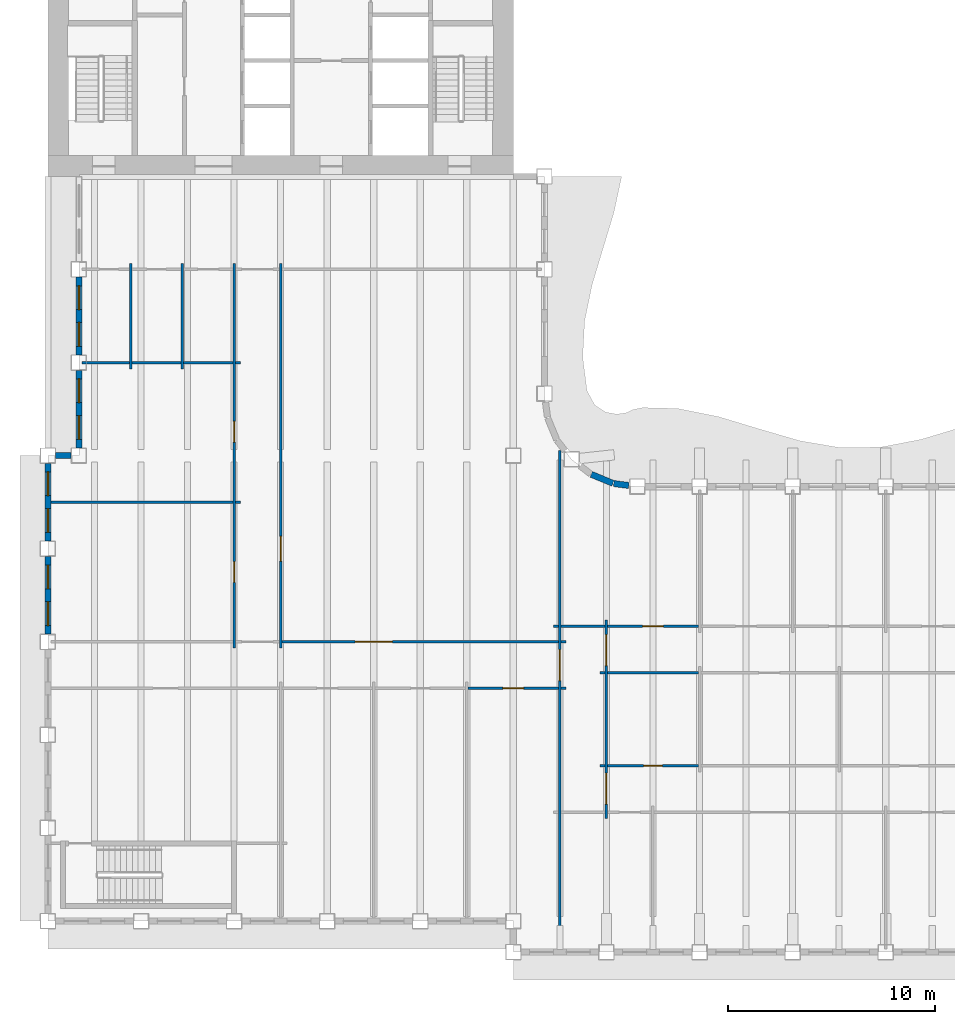
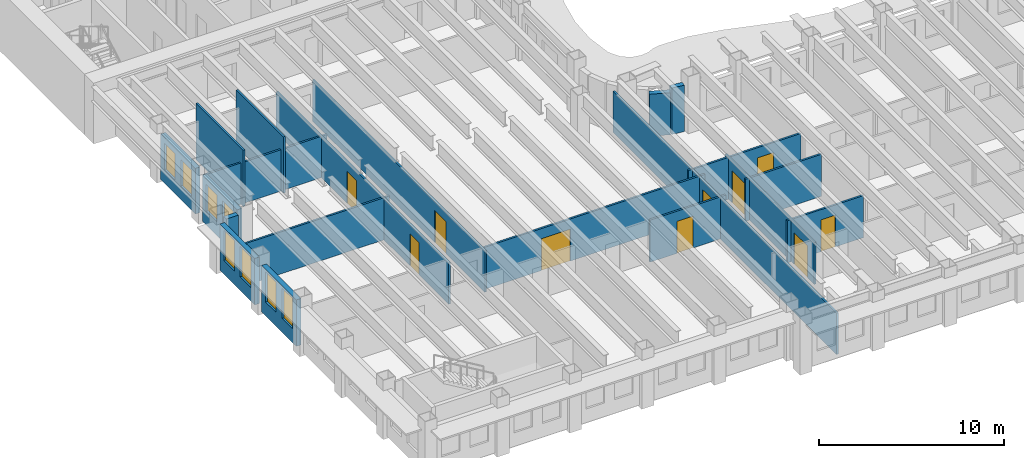
# One storey, part 4 of 16: 30 walls, 10 doors, 8 windows, 18 openings.
"""IFC4 building model written with IfcOpenShell, lengths in metres."""

from ifc_helpers import new_model, si_unit, direction, frame, frame_2d, origin, place, context, subcontext, project, spatial, rectangle, extrude, material, layer, layer_set, type_object, element, fill, save


model = new_model("IFC4")

# Units and contexts
model_context = context("Model", 3, precision=1e-05, world=origin(), true_north=direction((0.0, 1.0)))
body_context = subcontext(model_context, "Body", "Model", "MODEL_VIEW")
ifc_project = project(units=[si_unit("LENGTHUNIT", "METRE"), si_unit("AREAUNIT", "SQUARE_METRE"), si_unit("VOLUMEUNIT", "CUBIC_METRE"), si_unit("PLANEANGLEUNIT", "RADIAN"), si_unit("MASSUNIT", "GRAM", prefix="KILO")], contexts=[model_context])

# Site, building, storey
site_placement = place(None, origin())
site = spatial("IfcSite", under=ifc_project, at=site_placement, CompositionType="ELEMENT")
building_placement = place(site_placement, origin())
building = spatial("IfcBuilding", under=site, at=building_placement, Name="Sennacour Bend Tower", CompositionType="ELEMENT")
storey_placement = place(building_placement, frame((0.0, 0.0, 239.0)))
storey = spatial("IfcBuildingStorey", under=building, at=storey_placement, Name="L55", CompositionType="ELEMENT", Elevation=239.0)

# Walls
ifc_material_1 = material(Name="Plasterboard partition on steel studs", Category="steel")
ifc_layer_1 = layer(ifc_material_1, 0.1201171875, Name="Plasterboard partition on steel studs", Category="steel")
ifc_layer_set_1 = layer_set([ifc_layer_1], Name="Plasterboard partition on steel studs")
wall_type_1 = type_object("IfcWallType", Name="Partition 120", PredefinedType="PARTITIONING", material=ifc_layer_set_1)
for number, where, z_axis, x_axis, name in (
    (1, (4.0, 26.699951171875, 0.0), (0.0, 0.0, 1.0), (0.0, 1.0, 0.0), "P-L55-W004a"),
    (2, (6.5, 26.699951171875, 0.0), (0.0, 0.0, 1.0), (0.0, 1.0, 0.0), "P-L55-W007a"),
):
    element("IfcWall", number, at=place(storey_placement, frame(where, z_axis=z_axis, x_axis=x_axis)), inside=storey, type_object=wall_type_1, Name=name, PredefinedType="PARTITIONING", context=body_context, shape_type="SweptSolid", body=[
        extrude(rectangle(XDim=5.10009765625, YDim=0.1201171875, at=frame_2d((2.550048828125, 0.0))), origin(), (0.0, 0.0, 1.0), 3.699951171875),
    ])

# Wall, openings, doors
wall_1_placement = place(storey_placement, frame((9.0, 13.199951171875, 0.0), z_axis=(0.0, 0.0, 1.0), x_axis=(0.0, 1.0, 0.0)))
wall_1 = element("IfcWall", 3, at=wall_1_placement, inside=storey, type_object=wall_type_1, Name="P-L55-W010a", PredefinedType="PARTITIONING", context=body_context, shape_type="SweptSolid", body=[
    extrude(rectangle(XDim=18.60009765625, YDim=0.1201171875, at=frame_2d((9.300048828125, 0.0))), origin(), (0.0, 0.0, 1.0), 2.719970703125),
])
opening_1_placement = place(wall_1_placement, frame((3.175048828125, 0.0, 0.0)))
opening_1 = element("IfcOpeningElement", 4, at=opening_1_placement, cuts=wall_1, Name="Opening OD2", PredefinedType="OPENING", context=body_context, shape_type="SweptSolid", body=[
    extrude(rectangle(XDim=1.0, YDim=2.10009765625, at=frame_2d((0.5, 1.050048828125))), frame((0.0, 0.070068359375, 0.0), z_axis=(0.0, -1.0, 0.0), x_axis=(1.0, 0.0, 0.0)), (0.0, 0.0, 1.0), 0.14013671875),
])
opening_2_placement = place(wall_1_placement, frame((9.955078125, 0.0, 0.0)))
opening_2 = element("IfcOpeningElement", 5, at=opening_2_placement, cuts=wall_1, Name="Opening OD2", PredefinedType="OPENING", context=body_context, shape_type="SweptSolid", body=[
    extrude(rectangle(XDim=1.0, YDim=2.10009765625, at=frame_2d((0.5, 1.050048828125))), frame((0.0, 0.070068359375, 0.0), z_axis=(0.0, -1.0, 0.0), x_axis=(1.0, 0.0, 0.0)), (0.0, 0.0, 1.0), 0.14013671875),
])
ifc_material_2 = material(Name="Timber", Category="wood")
door_type_1 = type_object("IfcDoorType", Name="DR-OFFICE-1000", OperationType="NOTDEFINED", PredefinedType="DOOR", material=ifc_material_2)
door_1_placement = place(opening_1_placement, origin())
door_1 = element("IfcDoor", 6, at=door_1_placement, inside=storey, type_object=door_type_1, Name="Door", OperationType="SINGLE_SWING_LEFT", OverallHeight=2.10009765625, OverallWidth=1.0, PredefinedType="DOOR", context=body_context, shape_type="SweptSolid", body=[
    extrude(rectangle(XDim=1.0, YDim=2.10009765625, at=frame_2d((0.5, 1.050048828125))), frame((0.0, 0.02490234375, 0.0), z_axis=(0.0, -1.0, 0.0), x_axis=(1.0, 0.0, 0.0)), (0.0, 0.0, 1.0), 0.050048828125),
])
fill(opening_1, door_1)
door_2_placement = place(opening_2_placement, origin())
door_2 = element("IfcDoor", 7, at=door_2_placement, inside=storey, type_object=door_type_1, Name="Door", OperationType="SINGLE_SWING_RIGHT", OverallHeight=2.10009765625, OverallWidth=1.0, PredefinedType="DOOR", context=body_context, shape_type="SweptSolid", body=[
    extrude(rectangle(XDim=1.0, YDim=2.10009765625, at=frame_2d((0.5, 1.050048828125))), frame((0.0, 0.02490234375, 0.0), z_axis=(0.0, -1.0, 0.0), x_axis=(1.0, 0.0, 0.0)), (0.0, 0.0, 1.0), 0.050048828125),
])
fill(opening_2, door_2)

# Wall, opening, door
wall_2_placement = place(storey_placement, frame((11.25, 13.199951171875, 0.0), z_axis=(0.0, 0.0, 1.0), x_axis=(0.0, 1.0, 0.0)))
wall_2 = element("IfcWall", 8, at=wall_2_placement, inside=storey, type_object=wall_type_1, Name="P-L55-W013a", PredefinedType="PARTITIONING", context=body_context, shape_type="SweptSolid", body=[
    extrude(rectangle(XDim=18.60009765625, YDim=0.1201171875, at=frame_2d((9.300048828125, 0.0))), origin(), (0.0, 0.0, 1.0), 2.719970703125),
])
opening_3_placement = place(wall_2_placement, frame((4.199951171875, 0.0, 0.0)))
opening_3 = element("IfcOpeningElement", 9, at=opening_3_placement, cuts=wall_2, Name="Opening OD", PredefinedType="OPENING", context=body_context, shape_type="SweptSolid", body=[
    extrude(rectangle(XDim=1.199951171875, YDim=2.10009765625, at=frame_2d((0.60009765625, 1.050048828125))), frame((0.0, 0.070068359375, 0.0), z_axis=(0.0, -1.0, 0.0), x_axis=(1.0, 0.0, 0.0)), (0.0, 0.0, 1.0), 0.14013671875),
])
door_type_2 = type_object("IfcDoorType", Name="DR-OFFICE-1200", OperationType="NOTDEFINED", PredefinedType="DOOR", material=ifc_material_2)
door_3_placement = place(opening_3_placement, origin())
door_3 = element("IfcDoor", 10, at=door_3_placement, inside=storey, type_object=door_type_2, Name="Door", OperationType="SINGLE_SWING_LEFT", OverallHeight=2.10009765625, OverallWidth=1.199951171875, PredefinedType="DOOR", context=body_context, shape_type="SweptSolid", body=[
    extrude(rectangle(XDim=1.199951171875, YDim=2.10009765625, at=frame_2d((0.60009765625, 1.050048828125))), frame((0.0, 0.02490234375, 0.0), z_axis=(0.0, -1.0, 0.0), x_axis=(1.0, 0.0, 0.0)), (0.0, 0.0, 1.0), 0.050048828125),
])
fill(opening_3, door_3)

# Wall
wall_3_placement = place(storey_placement, frame((26.699951171875, 7.5, 0.0), z_axis=(0.0, 0.0, 1.0), x_axis=(1.0, 0.0, 0.0)))
element("IfcWall", 11, at=wall_3_placement, inside=storey, type_object=wall_type_1, Name="P-L55-W058aa", PredefinedType="PARTITIONING", context=body_context, shape_type="SweptSolid", body=[
    extrude(rectangle(XDim=0.239990234375, YDim=0.1201171875, at=frame_2d((0.1201171875, 0.0))), origin(), (0.0, 0.0, 1.0), 2.77001953125),
])

# Wall, opening, door
wall_4_placement = place(storey_placement, frame((20.31005859375, 11.25, 0.0), z_axis=(0.0, 0.0, 1.0), x_axis=(1.0, 0.0, 0.0)))
wall_4 = element("IfcWall", 12, at=wall_4_placement, inside=storey, type_object=wall_type_1, Name="P-L55-W062ad", PredefinedType="PARTITIONING", context=body_context, shape_type="SweptSolid", body=[
    extrude(rectangle(XDim=4.3798828125, YDim=0.1201171875, at=frame_2d((2.18994140625, 0.0))), origin(), (0.0, 0.0, 1.0), 2.77001953125),
])
opening_4_placement = place(wall_4_placement, frame((1.68994140625, 0.0, 0.0)))
opening_4 = element("IfcOpeningElement", 13, at=opening_4_placement, cuts=wall_4, Name="Opening OD2", PredefinedType="OPENING", context=body_context, shape_type="SweptSolid", body=[
    extrude(rectangle(XDim=1.0, YDim=2.10009765625, at=frame_2d((0.5, 1.050048828125))), frame((0.0, 0.070068359375, 0.0), z_axis=(0.0, -1.0, 0.0), x_axis=(1.0, 0.0, 0.0)), (0.0, 0.0, 1.0), 0.14013671875),
])
door_4_placement = place(opening_4_placement, origin())
door_4 = element("IfcDoor", 14, at=door_4_placement, inside=storey, type_object=door_type_1, Name="Door", OperationType="SINGLE_SWING_LEFT", OverallHeight=2.10009765625, OverallWidth=1.0, PredefinedType="DOOR", context=body_context, shape_type="SweptSolid", body=[
    extrude(rectangle(XDim=1.0, YDim=2.10009765625, at=frame_2d((0.5, 1.050048828125))), frame((0.0, 0.02490234375, 0.0), z_axis=(0.0, -1.0, 0.0), x_axis=(1.0, 0.0, 0.0)), (0.0, 0.0, 1.0), 0.050048828125),
])
fill(opening_4, door_4)

# Walls
for number, where, z_axis, x_axis, name in (
    (15, (24.81005859375, 11.25, 0.0), (0.0, 0.0, 1.0), (1.0, 0.0, 0.0), "P-L55-W062ae"),
    (16, (26.699951171875, 12.0, 0.0), (0.0, 0.0, 1.0), (1.0, 0.0, 0.0), "P-L55-W064aa"),
):
    element("IfcWall", number, at=place(storey_placement, frame(where, z_axis=z_axis, x_axis=x_axis)), inside=storey, type_object=wall_type_1, Name=name, PredefinedType="PARTITIONING", context=body_context, shape_type="SweptSolid", body=[
        extrude(rectangle(XDim=0.239990234375, YDim=0.1201171875, at=frame_2d((0.1201171875, 0.0))), origin(), (0.0, 0.0, 1.0), 2.77001953125),
    ])
wall_5_placement = place(storey_placement, frame((27.06005859375, 12.0, 0.0), z_axis=(0.0, 0.0, 1.0), x_axis=(1.0, 0.0, 0.0)))
element("IfcWall", 17, at=wall_5_placement, inside=storey, type_object=wall_type_1, Name="P-L55-W064ab", PredefinedType="PARTITIONING", context=body_context, shape_type="SweptSolid", body=[
    extrude(rectangle(XDim=4.3798828125, YDim=0.1201171875, at=frame_2d((2.18994140625, 0.0))), origin(), (0.0, 0.0, 1.0), 2.77001953125),
])

# Wall, opening, door
wall_6_placement = place(storey_placement, frame((11.31005859375, 13.5, 0.0), z_axis=(0.0, 0.0, 1.0), x_axis=(1.0, 0.0, 0.0)))
wall_6 = element("IfcWall", 18, at=wall_6_placement, inside=storey, type_object=wall_type_1, Name="P-L55-W065ac", PredefinedType="PARTITIONING", context=body_context, shape_type="SweptSolid", body=[
    extrude(rectangle(XDim=13.3798828125, YDim=0.1201171875, at=frame_2d((6.68994140625, 0.0))), origin(), (0.0, 0.0, 1.0), 2.77001953125),
])
opening_5_placement = place(wall_6_placement, frame((3.539794921875, 0.0, 0.0)))
opening_5 = element("IfcOpeningElement", 19, at=opening_5_placement, cuts=wall_6, Name="Opening OD3", PredefinedType="OPENING", context=body_context, shape_type="SweptSolid", body=[
    extrude(rectangle(XDim=1.800048828125, YDim=2.10009765625, at=frame_2d((0.89990234375, 1.050048828125))), frame((0.0, 0.070068359375, 0.0), z_axis=(0.0, -1.0, 0.0), x_axis=(1.0, 0.0, 0.0)), (0.0, 0.0, 1.0), 0.14013671875),
])
door_type_3 = type_object("IfcDoorType", Name="DR-OFFICE-1800", OperationType="NOTDEFINED", PredefinedType="DOOR", material=ifc_material_2)
door_5_placement = place(opening_5_placement, origin())
door_5 = element("IfcDoor", 20, at=door_5_placement, inside=storey, type_object=door_type_3, Name="Door", OperationType="DOUBLE_DOOR_SINGLE_SWING", OverallHeight=2.10009765625, OverallWidth=1.800048828125, PredefinedType="DOOR", context=body_context, shape_type="SweptSolid", body=[
    extrude(rectangle(XDim=1.800048828125, YDim=2.10009765625, at=frame_2d((0.89990234375, 1.050048828125))), frame((0.0, 0.02490234375, 0.0), z_axis=(0.0, -1.0, 0.0), x_axis=(1.0, 0.0, 0.0)), (0.0, 0.0, 1.0), 0.050048828125),
])
fill(opening_5, door_5)

# Walls
for number, where, z_axis, x_axis, name in (
    (21, (24.81005859375, 13.5, 0.0), (0.0, 0.0, 1.0), (1.0, 0.0, 0.0), "P-L55-W065ad"),
    (22, (24.449951171875, 14.25, 0.0), (0.0, 0.0, 1.0), (1.0, 0.0, 0.0), "P-L55-W066aa"),
):
    element("IfcWall", number, at=place(storey_placement, frame(where, z_axis=z_axis, x_axis=x_axis)), inside=storey, type_object=wall_type_1, Name=name, PredefinedType="PARTITIONING", context=body_context, shape_type="SweptSolid", body=[
        extrude(rectangle(XDim=0.239990234375, YDim=0.1201171875, at=frame_2d((0.1201171875, 0.0))), origin(), (0.0, 0.0, 1.0), 2.77001953125),
    ])
wall_7_placement = place(storey_placement, frame((24.81005859375, 14.25, 0.0), z_axis=(0.0, 0.0, 1.0), x_axis=(1.0, 0.0, 0.0)))
element("IfcWall", 23, at=wall_7_placement, inside=storey, type_object=wall_type_1, Name="P-L55-W066ab", PredefinedType="PARTITIONING", context=body_context, shape_type="SweptSolid", body=[
    extrude(rectangle(XDim=2.1298828125, YDim=0.1201171875, at=frame_2d((1.06494140625, 0.0))), origin(), (0.0, 0.0, 1.0), 2.77001953125),
])

# Wall, opening, door
wall_8_placement = place(storey_placement, frame((27.06005859375, 14.25, 0.0), z_axis=(0.0, 0.0, 1.0), x_axis=(1.0, 0.0, 0.0)))
wall_8 = element("IfcWall", 24, at=wall_8_placement, inside=storey, type_object=wall_type_1, Name="P-L55-W066ac", PredefinedType="PARTITIONING", context=body_context, shape_type="SweptSolid", body=[
    extrude(rectangle(XDim=4.3798828125, YDim=0.1201171875, at=frame_2d((2.18994140625, 0.0))), origin(), (0.0, 0.0, 1.0), 2.77001953125),
])
opening_6_placement = place(wall_8_placement, frame((1.68994140625, 0.0, 0.0)))
opening_6 = element("IfcOpeningElement", 25, at=opening_6_placement, cuts=wall_8, Name="Opening OD2", PredefinedType="OPENING", context=body_context, shape_type="SweptSolid", body=[
    extrude(rectangle(XDim=1.0, YDim=2.10009765625, at=frame_2d((0.5, 1.050048828125))), frame((0.0, 0.070068359375, 0.0), z_axis=(0.0, -1.0, 0.0), x_axis=(1.0, 0.0, 0.0)), (0.0, 0.0, 1.0), 0.14013671875),
])
door_6_placement = place(opening_6_placement, origin())
door_6 = element("IfcDoor", 26, at=door_6_placement, inside=storey, type_object=door_type_1, Name="Door", OperationType="SINGLE_SWING_LEFT", OverallHeight=2.10009765625, OverallWidth=1.0, PredefinedType="DOOR", context=body_context, shape_type="SweptSolid", body=[
    extrude(rectangle(XDim=1.0, YDim=2.10009765625, at=frame_2d((0.5, 1.050048828125))), frame((0.0, 0.02490234375, 0.0), z_axis=(0.0, -1.0, 0.0), x_axis=(1.0, 0.0, 0.0)), (0.0, 0.0, 1.0), 0.050048828125),
])
fill(opening_6, door_6)

# Walls
wall_9_placement = place(storey_placement, frame((0.14990234375, 20.25, 0.0), z_axis=(0.0, 0.0, 1.0), x_axis=(1.0, 0.0, 0.0)))
element("IfcWall", 27, at=wall_9_placement, inside=storey, type_object=wall_type_1, Name="P-L55-W072aa", PredefinedType="PARTITIONING", context=body_context, shape_type="SweptSolid", body=[
    extrude(rectangle(XDim=8.7900390625, YDim=0.1201171875, at=frame_2d((4.39501953125, 0.0))), origin(), (0.0, 0.0, 1.0), 2.77001953125),
])
wall_10_placement = place(storey_placement, frame((9.06005859375, 20.25, 0.0), z_axis=(0.0, 0.0, 1.0), x_axis=(1.0, 0.0, 0.0)))
element("IfcWall", 28, at=wall_10_placement, inside=storey, type_object=wall_type_1, Name="P-L55-W072ab", PredefinedType="PARTITIONING", context=body_context, shape_type="SweptSolid", body=[
    extrude(rectangle(XDim=0.239990234375, YDim=0.1201171875, at=frame_2d((0.1201171875, 0.0))), origin(), (0.0, 0.0, 1.0), 2.77001953125),
])
wall_11_placement = place(storey_placement, frame((1.64990234375, 27.0, 0.0), z_axis=(0.0, 0.0, 1.0), x_axis=(1.0, 0.0, 0.0)))
element("IfcWall", 29, at=wall_11_placement, inside=storey, type_object=wall_type_1, Name="P-L55-W075aa", PredefinedType="PARTITIONING", context=body_context, shape_type="SweptSolid", body=[
    extrude(rectangle(XDim=2.2900390625, YDim=0.1201171875, at=frame_2d((1.14501953125, 0.0))), origin(), (0.0, 0.0, 1.0), 2.719970703125),
])
for number, where, z_axis, x_axis, name in (
    (30, (4.06005859375, 27.0, 0.0), (0.0, 0.0, 1.0), (1.0, 0.0, 0.0), "P-L55-W075ab"),
    (31, (6.56005859375, 27.0, 0.0), (0.0, 0.0, 1.0), (1.0, 0.0, 0.0), "P-L55-W075ac"),
):
    element("IfcWall", number, at=place(storey_placement, frame(where, z_axis=z_axis, x_axis=x_axis)), inside=storey, type_object=wall_type_1, Name=name, PredefinedType="PARTITIONING", context=body_context, shape_type="SweptSolid", body=[
        extrude(rectangle(XDim=2.3798828125, YDim=0.1201171875, at=frame_2d((1.18994140625, 0.0))), origin(), (0.0, 0.0, 1.0), 2.719970703125),
    ])
wall_12_placement = place(storey_placement, frame((9.06005859375, 27.0, 0.0), z_axis=(0.0, 0.0, 1.0), x_axis=(1.0, 0.0, 0.0)))
element("IfcWall", 32, at=wall_12_placement, inside=storey, type_object=wall_type_1, Name="P-L55-W075ad", PredefinedType="PARTITIONING", context=body_context, shape_type="SweptSolid", body=[
    extrude(rectangle(XDim=0.239990234375, YDim=0.1201171875, at=frame_2d((0.1201171875, 0.0))), origin(), (0.0, 0.0, 1.0), 2.719970703125),
])

# Wall, opening, door
ifc_layer_2 = layer(ifc_material_1, 0.1201171875, Name="Plasterboard partition on steel studs", Category="steel")
ifc_layer_set_2 = layer_set([ifc_layer_2], Name="Plasterboard partition on steel studs")
wall_type_2 = type_object("IfcWallType", Name="Partition 120 EI 30", PredefinedType="PARTITIONING", material=ifc_layer_set_2)
wall_13_placement = place(storey_placement, frame((24.75, -1.35009765625, 0.0), z_axis=(0.0, 0.0, 1.0), x_axis=(0.0, 1.0, 0.0)))
wall_13 = element("IfcWall", 33, at=wall_13_placement, inside=storey, type_object=wall_type_2, Name="P-L55-W023a", PredefinedType="PARTITIONING", context=body_context, shape_type="SweptSolid", body=[
    extrude(rectangle(XDim=24.1005859375, YDim=0.1201171875, at=frame_2d((12.05029296875, 0.0))), origin(), (0.0, 0.0, 1.0), 2.719970703125),
])
opening_7_placement = place(wall_13_placement, frame((12.97509765625, 0.0, 0.0)))
opening_7 = element("IfcOpeningElement", 34, at=opening_7_placement, cuts=wall_13, Name="Opening KD", PredefinedType="OPENING", context=body_context, shape_type="SweptSolid", body=[
    extrude(rectangle(XDim=1.5, YDim=2.10009765625, at=frame_2d((0.75, 1.050048828125))), frame((0.0, 0.070068359375, 0.0), z_axis=(0.0, -1.0, 0.0), x_axis=(1.0, 0.0, 0.0)), (0.0, 0.0, 1.0), 0.14013671875),
])
ifc_material_3 = material(Name="Painted steel", Category="steel")
door_type_4 = type_object("IfcDoorType", Name="DR-CORRIDOR-1500", OperationType="NOTDEFINED", PredefinedType="DOOR", material=ifc_material_3)
door_7_placement = place(opening_7_placement, origin())
door_7 = element("IfcDoor", 35, at=door_7_placement, inside=storey, type_object=door_type_4, Name="Door", OperationType="SINGLE_SWING_RIGHT", OverallHeight=2.10009765625, OverallWidth=1.5, PredefinedType="DOOR", context=body_context, shape_type="SweptSolid", body=[
    extrude(rectangle(XDim=1.5, YDim=2.10009765625, at=frame_2d((0.75, 1.050048828125))), frame((0.0, 0.02490234375, 0.0), z_axis=(0.0, -1.0, 0.0), x_axis=(1.0, 0.0, 0.0)), (0.0, 0.0, 1.0), 0.050048828125),
])
fill(opening_7, door_7)

# Wall, openings, doors
wall_14_placement = place(storey_placement, frame((27.0, 4.949951171875, 0.0), z_axis=(0.0, 0.0, 1.0), x_axis=(0.0, 1.0, 0.0)))
wall_14 = element("IfcWall", 36, at=wall_14_placement, inside=storey, type_object=wall_type_2, Name="P-L55-W024a", PredefinedType="PARTITIONING", context=body_context, shape_type="SweptSolid", body=[
    extrude(rectangle(XDim=9.60009765625, YDim=0.1201171875, at=frame_2d((4.800048828125, 0.0))), origin(), (0.0, 0.0, 1.0), 2.77001953125),
])
opening_8_placement = place(wall_14_placement, frame((0.705078125, 0.0, 0.0)))
opening_8 = element("IfcOpeningElement", 37, at=opening_8_placement, cuts=wall_14, Name="Opening KD", PredefinedType="OPENING", context=body_context, shape_type="SweptSolid", body=[
    extrude(rectangle(XDim=1.5, YDim=2.10009765625, at=frame_2d((0.75, 1.050048828125))), frame((0.0, 0.070068359375, 0.0), z_axis=(0.0, -1.0, 0.0), x_axis=(1.0, 0.0, 0.0)), (0.0, 0.0, 1.0), 0.14013671875),
])
opening_9_placement = place(wall_14_placement, frame((7.39501953125, 0.0, 0.0)))
opening_9 = element("IfcOpeningElement", 38, at=opening_9_placement, cuts=wall_14, Name="Opening KD", PredefinedType="OPENING", context=body_context, shape_type="SweptSolid", body=[
    extrude(rectangle(XDim=1.5, YDim=2.10009765625, at=frame_2d((0.75, 1.050048828125))), frame((0.0, 0.070068359375, 0.0), z_axis=(0.0, -1.0, 0.0), x_axis=(1.0, 0.0, 0.0)), (0.0, 0.0, 1.0), 0.14013671875),
])
door_8_placement = place(opening_8_placement, origin())
door_8 = element("IfcDoor", 39, at=door_8_placement, inside=storey, type_object=door_type_4, Name="Door", OperationType="SINGLE_SWING_LEFT", OverallHeight=2.10009765625, OverallWidth=1.5, PredefinedType="DOOR", context=body_context, shape_type="SweptSolid", body=[
    extrude(rectangle(XDim=1.5, YDim=2.10009765625, at=frame_2d((0.75, 1.050048828125))), frame((0.0, 0.02490234375, 0.0), z_axis=(0.0, -1.0, 0.0), x_axis=(1.0, 0.0, 0.0)), (0.0, 0.0, 1.0), 0.050048828125),
])
fill(opening_8, door_8)
door_9_placement = place(opening_9_placement, origin())
door_9 = element("IfcDoor", 40, at=door_9_placement, inside=storey, type_object=door_type_4, Name="Door", OperationType="SINGLE_SWING_RIGHT", OverallHeight=2.10009765625, OverallWidth=1.5, PredefinedType="DOOR", context=body_context, shape_type="SweptSolid", body=[
    extrude(rectangle(XDim=1.5, YDim=2.10009765625, at=frame_2d((0.75, 1.050048828125))), frame((0.0, 0.02490234375, 0.0), z_axis=(0.0, -1.0, 0.0), x_axis=(1.0, 0.0, 0.0)), (0.0, 0.0, 1.0), 0.050048828125),
])
fill(opening_9, door_9)

# Wall, opening, door
ifc_layer_3 = layer(ifc_material_1, 0.1201171875, Name="Plasterboard partition on steel studs", Category="steel")
ifc_layer_set_3 = layer_set([ifc_layer_3], Name="Plasterboard partition on steel studs")
wall_type_3 = type_object("IfcWallType", Name="Partition 120 EI 60", PredefinedType="PARTITIONING", material=ifc_layer_set_3)
wall_15_placement = place(storey_placement, frame((27.06005859375, 7.5, 0.0), z_axis=(0.0, 0.0, 1.0), x_axis=(1.0, 0.0, 0.0)))
wall_15 = element("IfcWall", 41, at=wall_15_placement, inside=storey, type_object=wall_type_3, Name="P-L55-W058ab", PredefinedType="PARTITIONING", context=body_context, shape_type="SweptSolid", body=[
    extrude(rectangle(XDim=4.3798828125, YDim=0.1201171875, at=frame_2d((2.18994140625, 0.0))), origin(), (0.0, 0.0, 1.0), 2.77001953125),
])
opening_10_placement = place(wall_15_placement, frame((1.739990234375, 0.0, 0.0)))
opening_10 = element("IfcOpeningElement", 42, at=opening_10_placement, cuts=wall_15, Name="Opening SV", PredefinedType="OPENING", context=body_context, shape_type="SweptSolid", body=[
    extrude(rectangle(XDim=0.89990234375, YDim=2.10009765625, at=frame_2d((0.449951171875, 1.050048828125))), frame((0.0, 0.070068359375, 0.0), z_axis=(0.0, -1.0, 0.0), x_axis=(1.0, 0.0, 0.0)), (0.0, 0.0, 1.0), 0.14013671875),
])
door_type_5 = type_object("IfcDoorType", Name="DR-SERVICE-900", OperationType="NOTDEFINED", PredefinedType="DOOR", material=ifc_material_3)
door_10_placement = place(opening_10_placement, origin())
door_10 = element("IfcDoor", 43, at=door_10_placement, inside=storey, type_object=door_type_5, Name="Door", OperationType="SINGLE_SWING_LEFT", OverallHeight=2.10009765625, OverallWidth=0.89990234375, PredefinedType="DOOR", context=body_context, shape_type="SweptSolid", body=[
    extrude(rectangle(XDim=0.89990234375, YDim=2.10009765625, at=frame_2d((0.449951171875, 1.050048828125))), frame((0.0, 0.02490234375, 0.0), z_axis=(0.0, -1.0, 0.0), x_axis=(1.0, 0.0, 0.0)), (0.0, 0.0, 1.0), 0.050048828125),
])
fill(opening_10, door_10)

# Walls
ifc_material_4 = material(Name="Warm limestone cladding", Category="masonry")
ifc_layer_4 = layer(ifc_material_4, 0.050048828125, Name="Warm limestone cladding", Category="masonry")
ifc_material_5 = material(Name="Precast concrete C40/50", Category="concrete")
ifc_layer_5 = layer(ifc_material_5, 0.25, Name="Precast concrete C40/50", Category="concrete")
ifc_layer_set_4 = layer_set([ifc_layer_4, ifc_layer_5], Name="Precast concrete C40/50 with limestone cladding")
wall_type_4 = type_object("IfcWallType", Name="STONE-CLAD PRECAST SPANDREL 300", PredefinedType="STANDARD", material=ifc_layer_set_4)
wall_16_placement = place(storey_placement, frame((28.0830078125, 21.054931640625, 0.0), z_axis=(0.0, 0.0, 1.0), x_axis=(-0.99142711513, 0.130660917588, 0.0)))
element("IfcWall", 44, at=wall_16_placement, inside=storey, type_object=wall_type_4, Name="Stone spandrel and pier wall L55 07.00", PredefinedType="STANDARD", context=body_context, shape_type="SweptSolid", body=[
    extrude(rectangle(XDim=0.734375, YDim=0.300048828125, at=frame_2d((0.3671875, 0.0))), origin(), (0.0, 0.0, 1.0), 3.056884765625),
])
wall_17_placement = place(storey_placement, frame((27.317138671875, 21.160888671875, 0.0), z_axis=(0.0, 0.0, 1.0), x_axis=(-0.923914616768, 0.382598720491, 0.0)))
element("IfcWall", 45, at=wall_17_placement, inside=storey, type_object=wall_type_4, Name="Stone spandrel and pier wall L55 08.00", PredefinedType="STANDARD", context=body_context, shape_type="SweptSolid", body=[
    extrude(rectangle(XDim=1.13525390625, YDim=0.300048828125, at=frame_2d((0.567626953125, 0.0))), origin(), (0.0, 0.0, 1.0), 2.77001953125),
])

# Wall, openings, windows
wall_18_placement = place(storey_placement, frame((1.5, 31.125, 0.0), z_axis=(0.0, 0.0, 1.0), x_axis=(0.0, -1.0, 0.0)))
wall_18 = element("IfcWall", 46, at=wall_18_placement, inside=storey, type_object=wall_type_4, Name="Stone spandrel and pier wall L55 19.01", PredefinedType="STANDARD", context=body_context, shape_type="SweptSolid", body=[
    extrude(rectangle(XDim=3.75, YDim=0.300048828125, at=frame_2d((1.875, 0.0))), origin(), (0.0, 0.0, 1.0), 3.007080078125),
])
opening_11_placement = place(wall_18_placement, frame((0.41259765625, 0.0, 0.89990234375)))
opening_11 = element("IfcOpeningElement", 47, at=opening_11_placement, cuts=wall_18, Name="Opening W23", PredefinedType="OPENING", context=body_context, shape_type="SweptSolid", body=[
    extrude(rectangle(XDim=1.14990234375, YDim=1.75, at=frame_2d((0.574951171875, 0.875))), frame((0.0, 0.16015625, 0.0), z_axis=(0.0, -1.0, 0.0), x_axis=(1.0, 0.0, 0.0)), (0.0, 0.0, 1.0), 0.320068359375),
])
opening_12_placement = place(wall_18_placement, frame((2.1875, 0.0, 0.89990234375)))
opening_12 = element("IfcOpeningElement", 48, at=opening_12_placement, cuts=wall_18, Name="Opening W23", PredefinedType="OPENING", context=body_context, shape_type="SweptSolid", body=[
    extrude(rectangle(XDim=1.14990234375, YDim=1.75, at=frame_2d((0.574951171875, 0.875))), frame((0.0, 0.16015625, 0.0), z_axis=(0.0, -1.0, 0.0), x_axis=(1.0, 0.0, 0.0)), (0.0, 0.0, 1.0), 0.320068359375),
])
ifc_material_6 = material(Name="Clear low-emissivity glass", Category="glass")
window_type_1 = type_object("IfcWindowType", Name="WIN-RIBBON-1150x1750", PartitioningType="SINGLE_PANEL", PredefinedType="WINDOW", material=ifc_material_6)
window_1_placement = place(opening_11_placement, origin())
window_1 = element("IfcWindow", 49, at=window_1_placement, inside=storey, type_object=window_type_1, Name="Ribbon window L55 19.01.0", OverallHeight=1.75, OverallWidth=1.14990234375, PartitioningType="SINGLE_PANEL", PredefinedType="WINDOW", context=body_context, shape_type="SweptSolid", body=[
    extrude(rectangle(XDim=1.14990234375, YDim=1.75, at=frame_2d((0.574951171875, 0.875))), frame((0.0, 0.030029296875, 0.0), z_axis=(0.0, -1.0, 0.0), x_axis=(1.0, 0.0, 0.0)), (0.0, 0.0, 1.0), 0.06005859375),
])
fill(opening_11, window_1)
window_2_placement = place(opening_12_placement, origin())
window_2 = element("IfcWindow", 50, at=window_2_placement, inside=storey, type_object=window_type_1, Name="Ribbon window L55 19.01.1", OverallHeight=1.75, OverallWidth=1.14990234375, PartitioningType="SINGLE_PANEL", PredefinedType="WINDOW", context=body_context, shape_type="SweptSolid", body=[
    extrude(rectangle(XDim=1.14990234375, YDim=1.75, at=frame_2d((0.574951171875, 0.875))), frame((0.0, 0.030029296875, 0.0), z_axis=(0.0, -1.0, 0.0), x_axis=(1.0, 0.0, 0.0)), (0.0, 0.0, 1.0), 0.06005859375),
])
fill(opening_12, window_2)

wall_19_placement = place(storey_placement, frame((1.5, 26.625, 0.0), z_axis=(0.0, 0.0, 1.0), x_axis=(0.0, -1.0, 0.0)))
wall_19 = element("IfcWall", 51, at=wall_19_placement, inside=storey, type_object=wall_type_4, Name="Stone spandrel and pier wall L55 19.02", PredefinedType="STANDARD", context=body_context, shape_type="SweptSolid", body=[
    extrude(rectangle(XDim=3.75, YDim=0.300048828125, at=frame_2d((1.875, 0.0))), origin(), (0.0, 0.0, 1.0), 3.007080078125),
])
opening_13_placement = place(wall_19_placement, frame((0.41259765625, 0.0, 0.89990234375)))
opening_13 = element("IfcOpeningElement", 52, at=opening_13_placement, cuts=wall_19, Name="Opening W23", PredefinedType="OPENING", context=body_context, shape_type="SweptSolid", body=[
    extrude(rectangle(XDim=1.14990234375, YDim=1.75, at=frame_2d((0.574951171875, 0.875))), frame((0.0, 0.16015625, 0.0), z_axis=(0.0, -1.0, 0.0), x_axis=(1.0, 0.0, 0.0)), (0.0, 0.0, 1.0), 0.320068359375),
])
opening_14_placement = place(wall_19_placement, frame((2.1875, 0.0, 0.89990234375)))
opening_14 = element("IfcOpeningElement", 53, at=opening_14_placement, cuts=wall_19, Name="Opening W23", PredefinedType="OPENING", context=body_context, shape_type="SweptSolid", body=[
    extrude(rectangle(XDim=1.14990234375, YDim=1.75, at=frame_2d((0.574951171875, 0.875))), frame((0.0, 0.16015625, 0.0), z_axis=(0.0, -1.0, 0.0), x_axis=(1.0, 0.0, 0.0)), (0.0, 0.0, 1.0), 0.320068359375),
])
window_3_placement = place(opening_13_placement, origin())
window_3 = element("IfcWindow", 54, at=window_3_placement, inside=storey, type_object=window_type_1, Name="Ribbon window L55 19.02.0", OverallHeight=1.75, OverallWidth=1.14990234375, PartitioningType="SINGLE_PANEL", PredefinedType="WINDOW", context=body_context, shape_type="SweptSolid", body=[
    extrude(rectangle(XDim=1.14990234375, YDim=1.75, at=frame_2d((0.574951171875, 0.875))), frame((0.0, 0.030029296875, 0.0), z_axis=(0.0, -1.0, 0.0), x_axis=(1.0, 0.0, 0.0)), (0.0, 0.0, 1.0), 0.06005859375),
])
fill(opening_13, window_3)
window_4_placement = place(opening_14_placement, origin())
window_4 = element("IfcWindow", 55, at=window_4_placement, inside=storey, type_object=window_type_1, Name="Ribbon window L55 19.02.1", OverallHeight=1.75, OverallWidth=1.14990234375, PartitioningType="SINGLE_PANEL", PredefinedType="WINDOW", context=body_context, shape_type="SweptSolid", body=[
    extrude(rectangle(XDim=1.14990234375, YDim=1.75, at=frame_2d((0.574951171875, 0.875))), frame((0.0, 0.030029296875, 0.0), z_axis=(0.0, -1.0, 0.0), x_axis=(1.0, 0.0, 0.0)), (0.0, 0.0, 1.0), 0.06005859375),
])
fill(opening_14, window_4)

# Wall
wall_20_placement = place(storey_placement, frame((1.125, 22.5, 0.0), z_axis=(0.0, 0.0, 1.0), x_axis=(-1.0, 0.0, 0.0)))
element("IfcWall", 56, at=wall_20_placement, inside=storey, type_object=wall_type_4, Name="Stone spandrel and pier wall L55 20.00", PredefinedType="STANDARD", context=body_context, shape_type="SweptSolid", body=[
    extrude(rectangle(XDim=0.75, YDim=0.300048828125, at=frame_2d((0.375, 0.0))), origin(), (0.0, 0.0, 1.0), 3.056884765625),
])

# Wall, openings, windows
wall_21_placement = place(storey_placement, frame((0.0, 22.125, 0.0), z_axis=(0.0, 0.0, 1.0), x_axis=(0.0, -1.0, 0.0)))
wall_21 = element("IfcWall", 57, at=wall_21_placement, inside=storey, type_object=wall_type_4, Name="Stone spandrel and pier wall L55 21.00", PredefinedType="STANDARD", context=body_context, shape_type="SweptSolid", body=[
    extrude(rectangle(XDim=3.75, YDim=0.300048828125, at=frame_2d((1.875, 0.0))), origin(), (0.0, 0.0, 1.0), 3.056884765625),
])
opening_15_placement = place(wall_21_placement, frame((0.41259765625, 0.0, 0.89990234375)))
opening_15 = element("IfcOpeningElement", 58, at=opening_15_placement, cuts=wall_21, Name="Opening W24", PredefinedType="OPENING", context=body_context, shape_type="SweptSolid", body=[
    extrude(rectangle(XDim=1.14990234375, YDim=2.0, at=frame_2d((0.574951171875, 1.0))), frame((0.0, 0.16015625, 0.0), z_axis=(0.0, -1.0, 0.0), x_axis=(1.0, 0.0, 0.0)), (0.0, 0.0, 1.0), 0.320068359375),
])
opening_16_placement = place(wall_21_placement, frame((2.1875, 0.0, 0.89990234375)))
opening_16 = element("IfcOpeningElement", 59, at=opening_16_placement, cuts=wall_21, Name="Opening W24", PredefinedType="OPENING", context=body_context, shape_type="SweptSolid", body=[
    extrude(rectangle(XDim=1.14990234375, YDim=2.0, at=frame_2d((0.574951171875, 1.0))), frame((0.0, 0.16015625, 0.0), z_axis=(0.0, -1.0, 0.0), x_axis=(1.0, 0.0, 0.0)), (0.0, 0.0, 1.0), 0.320068359375),
])
window_type_2 = type_object("IfcWindowType", Name="WIN-RIBBON-1150x2000", PartitioningType="SINGLE_PANEL", PredefinedType="WINDOW", material=ifc_material_6)
window_5_placement = place(opening_15_placement, origin())
window_5 = element("IfcWindow", 60, at=window_5_placement, inside=storey, type_object=window_type_2, Name="Ribbon window L55 21.00.0", OverallHeight=2.0, OverallWidth=1.14990234375, PartitioningType="SINGLE_PANEL", PredefinedType="WINDOW", context=body_context, shape_type="SweptSolid", body=[
    extrude(rectangle(XDim=1.14990234375, YDim=2.0, at=frame_2d((0.574951171875, 1.0))), frame((0.0, 0.030029296875, 0.0), z_axis=(0.0, -1.0, 0.0), x_axis=(1.0, 0.0, 0.0)), (0.0, 0.0, 1.0), 0.06005859375),
])
fill(opening_15, window_5)
window_6_placement = place(opening_16_placement, origin())
window_6 = element("IfcWindow", 61, at=window_6_placement, inside=storey, type_object=window_type_2, Name="Ribbon window L55 21.00.1", OverallHeight=2.0, OverallWidth=1.14990234375, PartitioningType="SINGLE_PANEL", PredefinedType="WINDOW", context=body_context, shape_type="SweptSolid", body=[
    extrude(rectangle(XDim=1.14990234375, YDim=2.0, at=frame_2d((0.574951171875, 1.0))), frame((0.0, 0.030029296875, 0.0), z_axis=(0.0, -1.0, 0.0), x_axis=(1.0, 0.0, 0.0)), (0.0, 0.0, 1.0), 0.06005859375),
])
fill(opening_16, window_6)

wall_22_placement = place(storey_placement, frame((0.0, 17.625, 0.0), z_axis=(0.0, 0.0, 1.0), x_axis=(0.0, -1.0, 0.0)))
wall_22 = element("IfcWall", 62, at=wall_22_placement, inside=storey, type_object=wall_type_4, Name="Stone spandrel and pier wall L55 21.01", PredefinedType="STANDARD", context=body_context, shape_type="SweptSolid", body=[
    extrude(rectangle(XDim=3.75, YDim=0.300048828125, at=frame_2d((1.875, 0.0))), origin(), (0.0, 0.0, 1.0), 3.056884765625),
])
opening_17_placement = place(wall_22_placement, frame((0.41259765625, 0.0, 0.89990234375)))
opening_17 = element("IfcOpeningElement", 63, at=opening_17_placement, cuts=wall_22, Name="Opening W24", PredefinedType="OPENING", context=body_context, shape_type="SweptSolid", body=[
    extrude(rectangle(XDim=1.14990234375, YDim=2.0, at=frame_2d((0.574951171875, 1.0))), frame((0.0, 0.16015625, 0.0), z_axis=(0.0, -1.0, 0.0), x_axis=(1.0, 0.0, 0.0)), (0.0, 0.0, 1.0), 0.320068359375),
])
opening_18_placement = place(wall_22_placement, frame((2.1875, 0.0, 0.89990234375)))
opening_18 = element("IfcOpeningElement", 64, at=opening_18_placement, cuts=wall_22, Name="Opening W24", PredefinedType="OPENING", context=body_context, shape_type="SweptSolid", body=[
    extrude(rectangle(XDim=1.14990234375, YDim=2.0, at=frame_2d((0.574951171875, 1.0))), frame((0.0, 0.16015625, 0.0), z_axis=(0.0, -1.0, 0.0), x_axis=(1.0, 0.0, 0.0)), (0.0, 0.0, 1.0), 0.320068359375),
])
window_7_placement = place(opening_17_placement, origin())
window_7 = element("IfcWindow", 65, at=window_7_placement, inside=storey, type_object=window_type_2, Name="Ribbon window L55 21.01.0", OverallHeight=2.0, OverallWidth=1.14990234375, PartitioningType="SINGLE_PANEL", PredefinedType="WINDOW", context=body_context, shape_type="SweptSolid", body=[
    extrude(rectangle(XDim=1.14990234375, YDim=2.0, at=frame_2d((0.574951171875, 1.0))), frame((0.0, 0.030029296875, 0.0), z_axis=(0.0, -1.0, 0.0), x_axis=(1.0, 0.0, 0.0)), (0.0, 0.0, 1.0), 0.06005859375),
])
fill(opening_17, window_7)
window_8_placement = place(opening_18_placement, origin())
window_8 = element("IfcWindow", 66, at=window_8_placement, inside=storey, type_object=window_type_2, Name="Ribbon window L55 21.01.1", OverallHeight=2.0, OverallWidth=1.14990234375, PartitioningType="SINGLE_PANEL", PredefinedType="WINDOW", context=body_context, shape_type="SweptSolid", body=[
    extrude(rectangle(XDim=1.14990234375, YDim=2.0, at=frame_2d((0.574951171875, 1.0))), frame((0.0, 0.030029296875, 0.0), z_axis=(0.0, -1.0, 0.0), x_axis=(1.0, 0.0, 0.0)), (0.0, 0.0, 1.0), 0.06005859375),
])
fill(opening_18, window_8)

save(model, "model.ifc")
